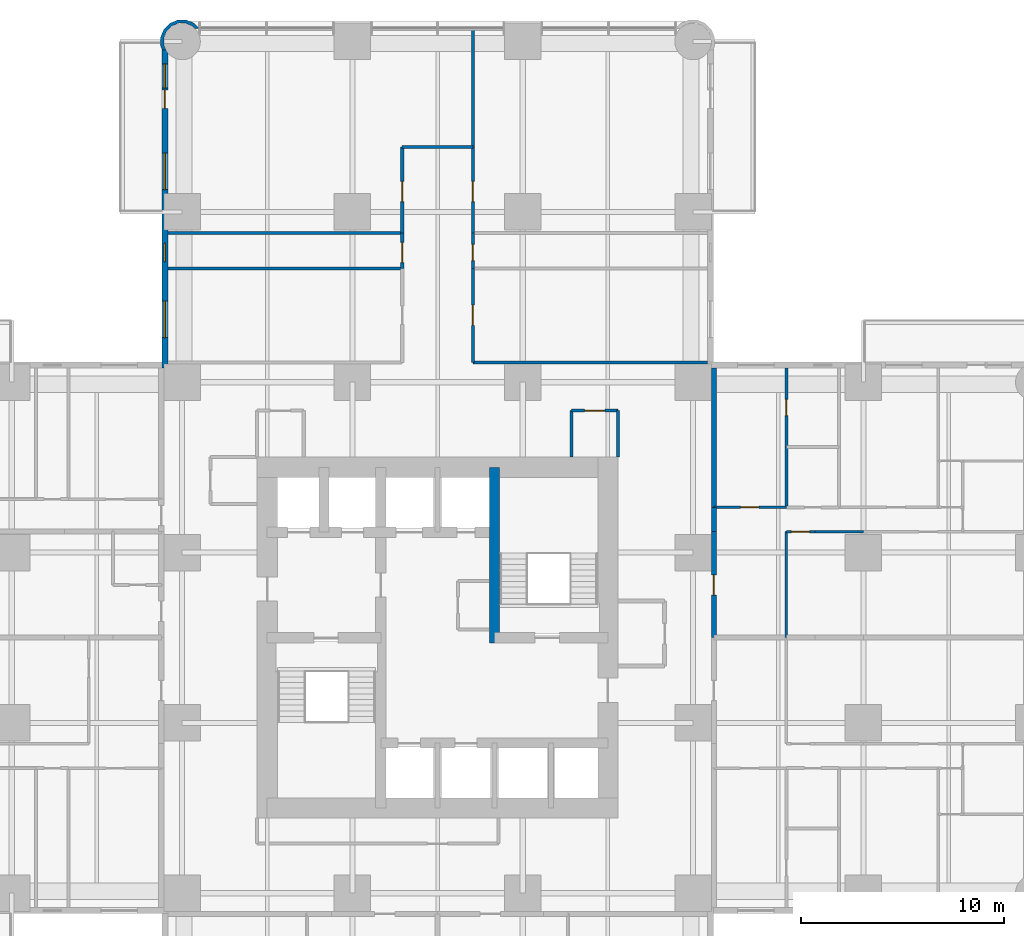
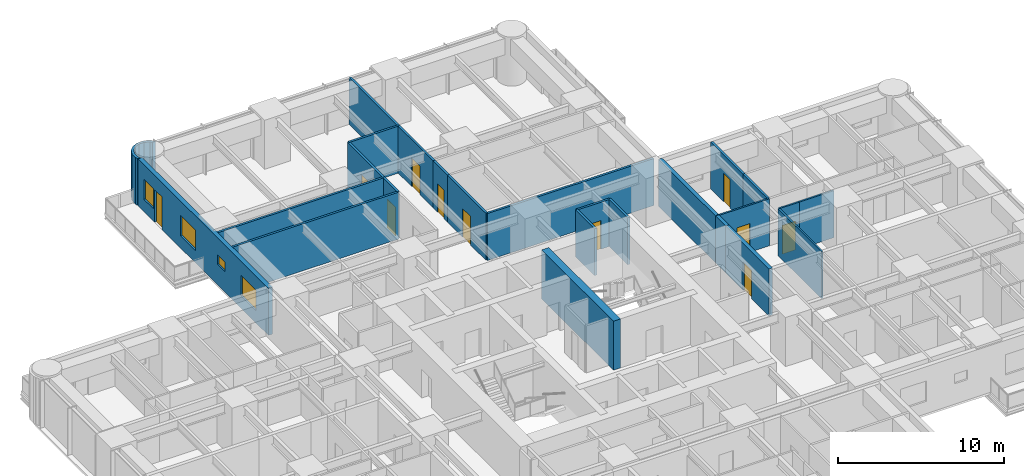
# One storey, part 13 of 17: 25 walls, 11 doors, 4 windows, 15 openings.
"""IFC4 building model written with IfcOpenShell, lengths in metres."""

import ifcopenshell
import ifcopenshell.guid

model = None  # the IFC model being written
_history = None  # IfcOwnerHistory: only IFC2X3 demands one
_inside = {}  # id of a spatial element -> (the spatial element, [elements in it])
_under = {}  # id of a project, library or spatial element -> (it, [spatial elements below it])
_declared = {}  # id of a project -> (the project, [libraries it declares])
_typed = {}  # id of a type object -> (the type object, [elements of that type])
_made_of = {}  # id of a material, layer set ... -> (it, [elements and type objects made of it])


def new_model(schema):
    """Start an empty IFC model of exactly this schema.

    Asked for "IFC4X3", IfcOpenShell would pick the latest addendum, in which some entities
    have other attributes; the version numbers below select the first issue.
    IFC2X3 requires an IfcOwnerHistory on every rooted entity: one is made here for all.
    """
    global model, _history
    if schema == "IFC4X3":
        model = ifcopenshell.file(schema_version=(4, 3, 0, 0))
    else:
        model = ifcopenshell.file(schema=schema)
    _inside.clear()
    _under.clear()
    _declared.clear()
    _typed.clear()
    _made_of.clear()
    _history = None
    if model.schema == "IFC2X3":
        org = make("IfcOrganization", Name="unknown")
        user = make(
            "IfcPersonAndOrganization",
            ThePerson=make("IfcPerson", FamilyName="unknown"),
            TheOrganization=org,
        )
        app = make(
            "IfcApplication",
            ApplicationDeveloper=org,
            Version="unknown",
            ApplicationFullName="unknown",
            ApplicationIdentifier="unknown",
        )
        _history = make(
            "IfcOwnerHistory",
            OwningUser=user,
            OwningApplication=app,
            ChangeAction="ADDED",
            CreationDate=0,
        )
    return model


def make(cls, **values):
    """One entity of the class cls with the attributes given. An attribute that is None is left unset."""
    return model.create_entity(
        cls, **{name: value for name, value in values.items() if value is not None}
    )


def rooted(cls, **values):
    """An entity with a GlobalId (a new one), such as an element, a storey or a relation."""
    return make(cls, GlobalId=ifcopenshell.guid.new(), OwnerHistory=_history, **values)


def si_unit(unit_type, name, prefix=None):
    """IfcSIUnit, for example si_unit("LENGTHUNIT", "METRE", prefix="MILLI")."""
    return make("IfcSIUnit", UnitType=unit_type, Prefix=prefix, Name=name)


def assignment(units):
    """IfcUnitAssignment: the units of a project."""
    return None if units is None else make("IfcUnitAssignment", Units=units)


def point(xyz):
    """IfcCartesianPoint."""
    return None if xyz is None else make("IfcCartesianPoint", Coordinates=xyz)


def direction(xyz):
    """IfcDirection."""
    return None if xyz is None else make("IfcDirection", DirectionRatios=xyz)


def frame(location, z_axis=None, x_axis=None):
    """IfcAxis2Placement3D, a coordinate frame: its origin and axes. An axis left out is left unset."""
    return make(
        "IfcAxis2Placement3D",
        Location=point(location),
        Axis=direction(z_axis),
        RefDirection=direction(x_axis),
    )


def frame_2d(location, x_axis=None):
    """IfcAxis2Placement2D, a coordinate frame in the plane: its origin and x axis."""
    return make(
        "IfcAxis2Placement2D", Location=point(location), RefDirection=direction(x_axis)
    )


def origin():
    """The frame at (0, 0, 0) with its axes left unset."""
    return frame((0.0, 0.0, 0.0))


def place(relative_to, where):
    """IfcLocalPlacement: puts the frame where relative to a parent placement (None: the world)."""
    return make(
        "IfcLocalPlacement", PlacementRelTo=relative_to, RelativePlacement=where
    )


def context(
    kind, dimensions, precision=None, world=None, true_north=None, identifier=None
):
    """IfcGeometricRepresentationContext, for example the 3D "Model" context."""
    return make(
        "IfcGeometricRepresentationContext",
        ContextIdentifier=identifier,
        ContextType=kind,
        CoordinateSpaceDimension=dimensions,
        Precision=precision,
        WorldCoordinateSystem=world,
        TrueNorth=true_north,
    )


def subcontext(parent, identifier, kind, view, scale=None):
    """IfcGeometricRepresentationSubContext, for example "Body" below "Model"."""
    return make(
        "IfcGeometricRepresentationSubContext",
        ContextIdentifier=identifier,
        ContextType=kind,
        ParentContext=parent,
        TargetScale=scale,
        TargetView=view,
    )


def project(units=None, contexts=None):
    """IfcProject with its units and contexts."""
    return rooted(
        "IfcProject",
        Name="project",
        RepresentationContexts=contexts,
        UnitsInContext=assignment(units),
    )


def spatial(cls, under=None, at=None, **own):
    """A site, building, storey or space (cls), placed at a placement, below another one or the project."""
    s = rooted(cls, ObjectPlacement=at, **own)
    if under is not None:
        _under.setdefault(under.id(), (under, []))[1].append(s)
    return s


def polyline(points):
    """IfcPolyline through the points."""
    return make("IfcPolyline", Points=[point(p) for p in points])


def profile(cls, at=None, kind="AREA", **sizes):
    """A parametric profile (cls). Its sizes go by their IFC names, for example OverallWidth=200.0."""
    return make(cls, ProfileType=kind, Position=at, **sizes)


def rectangle(**sizes):
    """IfcRectangleProfileDef."""
    return profile("IfcRectangleProfileDef", **sizes)


def outline(outer, holes=None, kind="AREA"):
    """IfcArbitraryClosedProfileDef: a profile drawn as a closed curve; with holes, ...WithVoids."""
    if holes is None:
        return make("IfcArbitraryClosedProfileDef", ProfileType=kind, OuterCurve=outer)
    return make(
        "IfcArbitraryProfileDefWithVoids",
        ProfileType=kind,
        OuterCurve=outer,
        InnerCurves=holes,
    )


def extrude(swept, where, along, depth):
    """IfcExtrudedAreaSolid: the profile swept, set in the frame where, extruded along a direction by depth."""
    return make(
        "IfcExtrudedAreaSolid",
        SweptArea=swept,
        Position=where,
        ExtrudedDirection=direction(along),
        Depth=depth,
    )


def shape(context_of_items, identifier, shape_type, items):
    """IfcShapeRepresentation: the items that make up one representation, for example the "Body"."""
    return make(
        "IfcShapeRepresentation",
        ContextOfItems=context_of_items,
        RepresentationIdentifier=identifier,
        RepresentationType=shape_type,
        Items=items,
    )


def material(Name=None, Category=None):
    """IfcMaterial."""
    return make("IfcMaterial", Name=Name, Category=Category)


def layer(
    of_material, thickness, ventilated=None, Name=None, Category=None, Priority=None
):
    """IfcMaterialLayer: one layer of a wall or slab, of a material (None: an air gap)."""
    return make(
        "IfcMaterialLayer",
        Material=of_material,
        LayerThickness=thickness,
        IsVentilated=ventilated,
        Name=Name,
        Category=Category,
        Priority=Priority,
    )


def layer_set(layers, Name=None):
    """IfcMaterialLayerSet."""
    return make("IfcMaterialLayerSet", MaterialLayers=layers, LayerSetName=Name)


def made_of(thing, what):
    """Note that an element or type object is made of a material, layer set ...; save() writes the relation."""
    if what is not None:
        _made_of.setdefault(what.id(), (what, []))[1].append(thing)
    return thing


def type_object(cls, material=None, **own):
    """A type object (cls), such as IfcWallType, which elements share."""
    return made_of(rooted(cls, **own), material)


def element(
    cls,
    number,
    at=None,
    inside=None,
    cuts=None,
    type_object=None,
    material=None,
    context=None,
    identifier="Body",
    shape_type=None,
    held_by="IfcProductDefinitionShape",
    body=None,
    shapes=None,
    **own,
):
    """One element of the class cls, such as IfcWall. Its Tag is "e" and its number.

    at: its placement. inside: the storey or other place that contains it. cuts: it is an
    opening in that element (IfcRelVoidsElement). A single representation is given by context,
    identifier, shape_type and body (its items); several are given by shapes. held_by: the class
    of the entity that holds the representations. save() writes the other relations.
    """
    e = rooted(cls, Tag="e%d" % number, ObjectPlacement=at, **own)
    if body is not None:
        shapes = [shape(context, identifier, shape_type, body)]
    if shapes is not None:
        e.Representation = make(held_by, Representations=shapes)
    if inside is not None:
        _inside.setdefault(inside.id(), (inside, []))[1].append(e)
    if cuts is not None:
        rooted(
            "IfcRelVoidsElement", RelatingBuildingElement=cuts, RelatedOpeningElement=e
        )
    if type_object is not None:
        _typed.setdefault(type_object.id(), (type_object, []))[1].append(e)
    return made_of(e, material)


def fill(opening, filler):
    """IfcRelFillsElement: the door or window that sits in an opening."""
    return rooted(
        "IfcRelFillsElement",
        RelatingOpeningElement=opening,
        RelatedBuildingElement=filler,
    )


def aggregate(whole, parts):
    """IfcRelAggregates: a whole, such as a stair, and the parts it consists of."""
    return rooted("IfcRelAggregates", RelatingObject=whole, RelatedObjects=parts)


def save(model, path):
    """Write the relations noted so far, then the file.

    IfcRelAggregates (storeys below a building ...), IfcRelContainedInSpatialStructure (elements
    in a storey), IfcRelDefinesByType, IfcRelAssociatesMaterial and IfcRelDeclares: one each for
    every whole, place, type object, material and project.
    """
    for whole, parts in _under.values():
        aggregate(whole, parts)
    for where, things in _inside.values():
        rooted(
            "IfcRelContainedInSpatialStructure",
            RelatedElements=things,
            RelatingStructure=where,
        )
    for kind, things in _typed.values():
        rooted("IfcRelDefinesByType", RelatedObjects=things, RelatingType=kind)
    for what, things in _made_of.values():
        rooted("IfcRelAssociatesMaterial", RelatedObjects=things, RelatingMaterial=what)
    for by, libraries in _declared.values():
        rooted("IfcRelDeclares", RelatingContext=by, RelatedDefinitions=libraries)
    model.write(path)


model = new_model("IFC4")

# Units and contexts
model_context = context("Model", 3, precision=1e-05, world=origin(), true_north=direction((0.0, 1.0)))
body_context = subcontext(model_context, "Body", "Model", "MODEL_VIEW")
ifc_project = project(units=[si_unit("LENGTHUNIT", "METRE"), si_unit("AREAUNIT", "SQUARE_METRE"), si_unit("VOLUMEUNIT", "CUBIC_METRE"), si_unit("PLANEANGLEUNIT", "RADIAN"), si_unit("MASSUNIT", "GRAM", prefix="KILO")], contexts=[model_context])

# Site, building, storey
site_placement = place(None, origin())
site = spatial("IfcSite", under=ifc_project, at=site_placement, CompositionType="ELEMENT")
building_placement = place(site_placement, origin())
building = spatial("IfcBuilding", under=site, at=building_placement, Name="Torre Alcanfor", CompositionType="ELEMENT")
storey_placement = place(building_placement, frame((0.0, 0.0, 38.10009765625)))
storey = spatial("IfcBuildingStorey", under=building, at=storey_placement, Name="L08", CompositionType="ELEMENT", Elevation=38.10009765625)

# Wall, opening, door
ifc_material_1 = material(Name="Concrete block masonry, hollow blocks NMX-C-404 9 MPa", Category="masonry")
ifc_layer_1 = layer(ifc_material_1, 0.25)
ifc_layer_set_1 = layer_set([ifc_layer_1], Name="Apartment entrance wall 250 EI 60")
wall_type_1 = type_object("IfcWallType", Name="Apartment entrance wall 250 EI 60", PredefinedType="PARTITIONING", material=ifc_layer_set_1)
wall_1_placement = place(storey_placement, frame((43.02490234375, 34.62890625, 0.0), z_axis=(0.0, 0.0, 1.0), x_axis=(0.0, -1.0, 0.0)))
wall_1 = element("IfcWall", 1, at=wall_1_placement, inside=storey, type_object=wall_type_1, Name="Partition L08-CORR / L08-E1-ZAG", PredefinedType="PARTITIONING", context=body_context, shape_type="SweptSolid", body=[
    extrude(rectangle(XDim=5.22900390625, YDim=0.25, at=frame_2d((2.614501953125, 0.0))), origin(), (0.0, 0.0, 1.0), 3.449951171875),
])
opening_1_placement = place(wall_1_placement, frame((2.12890625, 0.0, 0.0)))
opening_1 = element("IfcOpeningElement", 2, at=opening_1_placement, cuts=wall_1, Name="Opening D-A1", PredefinedType="OPENING", context=body_context, shape_type="SweptSolid", body=[
    extrude(rectangle(XDim=1.0, YDim=2.10009765625, at=frame_2d((0.5, 1.050048828125))), frame((0.0, 0.135009765625, 0.0), z_axis=(0.0, -1.0, 0.0), x_axis=(1.0, 0.0, 0.0)), (0.0, 0.0, 1.0), 0.27001953125),
])
ifc_material_2 = material(Name="Galvanised steel sheet ASTM A653", Category="steel")
door_type_1 = type_object("IfcDoorType", Name="Apartment entrance door FD60 1000x2100", OperationType="SINGLE_SWING_LEFT", PredefinedType="DOOR", material=ifc_material_2)
door_1_placement = place(opening_1_placement, origin())
door_1 = element("IfcDoor", 3, at=door_1_placement, inside=storey, type_object=door_type_1, Name="Apartment entrance L08-E1", OperationType="SINGLE_SWING_RIGHT", OverallHeight=2.10009765625, OverallWidth=1.0, PredefinedType="DOOR", context=body_context, shape_type="SweptSolid", body=[
    extrude(rectangle(XDim=1.0, YDim=2.10009765625, at=frame_2d((0.5, 1.050048828125))), frame((0.0, 0.02490234375, 0.0), z_axis=(0.0, -1.0, 0.0), x_axis=(1.0, 0.0, 0.0)), (0.0, 0.0, 1.0), 0.050048828125),
])
fill(opening_1, door_1)

# Walls
wall_2_placement = place(storey_placement, frame((43.02490234375, 35.8291015625, 0.0), z_axis=(0.0, 0.0, 1.0), x_axis=(0.0, -1.0, 0.0)))
element("IfcWall", 4, at=wall_2_placement, inside=storey, type_object=wall_type_1, Name="Partition L08-CORR / L08-E1-HALL", PredefinedType="PARTITIONING", context=body_context, shape_type="SweptSolid", body=[
    extrude(rectangle(XDim=1.2001953125, YDim=0.25, at=frame_2d((0.60009765625, 0.0))), origin(), (0.0, 0.0, 1.0), 3.449951171875),
])
wall_3_placement = place(storey_placement, frame((43.02490234375, 42.699951171875, 0.0), z_axis=(0.0, 0.0, 1.0), x_axis=(0.0, -1.0, 0.0)))
element("IfcWall", 5, at=wall_3_placement, inside=storey, type_object=wall_type_1, Name="Partition L08-CORR / L08-E1-SERV", PredefinedType="PARTITIONING", context=body_context, shape_type="SweptSolid", body=[
    extrude(rectangle(XDim=6.870849609375, YDim=0.25, at=frame_2d((3.435546875, 0.0))), origin(), (0.0, 0.0, 1.0), 3.449951171875),
])
ifc_material_3 = material(Name="Gypsum board on steel studs", Category="steel")
ifc_layer_2 = layer(ifc_material_3, 0.1201171875)
ifc_layer_set_2 = layer_set([ifc_layer_2], Name="Apartment partition 120")
wall_type_2 = type_object("IfcWallType", Name="Apartment partition 120", PredefinedType="PARTITIONING", material=ifc_layer_set_2)
wall_4_placement = place(storey_placement, frame((46.60009765625, 29.39990234375, 0.0), z_axis=(0.0, 0.0, 1.0), x_axis=(0.0, 1.0, 0.0)))
element("IfcWall", 6, at=wall_4_placement, inside=storey, type_object=wall_type_2, Name="Partition L08-E1-ZAG / L08-E1-LAUND", PredefinedType="PARTITIONING", context=body_context, shape_type="SweptSolid", body=[
    extrude(rectangle(XDim=5.22900390625, YDim=0.1201171875, at=frame_2d((2.614501953125, 0.0))), origin(), (0.0, 0.0, 1.0), 3.449951171875),
])

# Wall, opening, door
wall_5_placement = place(storey_placement, frame((48.0, 34.62890625, 0.0), z_axis=(0.0, 0.0, 1.0), x_axis=(-1.0, 0.0, 0.0)))
wall_5 = element("IfcWall", 7, at=wall_5_placement, inside=storey, type_object=wall_type_2, Name="Partition L08-E1-LAUND / L08-E1-HALL", PredefinedType="PARTITIONING", context=body_context, shape_type="SweptSolid", body=[
    extrude(rectangle(XDim=1.39990234375, YDim=0.1201171875, at=frame_2d((0.699951171875, 0.0))), origin(), (0.0, 0.0, 1.0), 3.449951171875),
])
opening_2_placement = place(wall_5_placement, frame((0.25, 0.0, 0.0)))
opening_2 = element("IfcOpeningElement", 8, at=opening_2_placement, cuts=wall_5, Name="Opening D-R1", PredefinedType="OPENING", context=body_context, shape_type="SweptSolid", body=[
    extrude(rectangle(XDim=0.89990234375, YDim=2.10009765625, at=frame_2d((0.449951171875, 1.050048828125))), frame((0.0, 0.070068359375, 0.0), z_axis=(0.0, -1.0, 0.0), x_axis=(1.0, 0.0, 0.0)), (0.0, 0.0, 1.0), 0.14013671875),
])
ifc_material_4 = material(Name="Timber", Category="wood")
door_type_2 = type_object("IfcDoorType", Name="Internal door 900x2100", OperationType="SINGLE_SWING_LEFT", PredefinedType="DOOR", material=ifc_material_4)
door_2_placement = place(opening_2_placement, origin())
door_2 = element("IfcDoor", 9, at=door_2_placement, inside=storey, type_object=door_type_2, Name="Door L08-E1 laund", OperationType="SINGLE_SWING_LEFT", OverallHeight=2.10009765625, OverallWidth=0.89990234375, PredefinedType="DOOR", context=body_context, shape_type="SweptSolid", body=[
    extrude(rectangle(XDim=0.89990234375, YDim=2.10009765625, at=frame_2d((0.449951171875, 1.050048828125))), frame((0.0, 0.02490234375, 0.0), z_axis=(0.0, -1.0, 0.0), x_axis=(1.0, 0.0, 0.0)), (0.0, 0.0, 1.0), 0.050048828125),
])
fill(opening_2, door_2)

# Wall
wall_6_placement = place(storey_placement, frame((50.39990234375, 34.62890625, 0.0), z_axis=(0.0, 0.0, 1.0), x_axis=(-1.0, 0.0, 0.0)))
element("IfcWall", 10, at=wall_6_placement, inside=storey, type_object=wall_type_2, Name="Partition L08-E1-KITCHEN / L08-E1-HALL", PredefinedType="PARTITIONING", context=body_context, shape_type="SweptSolid", body=[
    extrude(rectangle(XDim=2.39990234375, YDim=0.1201171875, at=frame_2d((1.199951171875, 0.0))), origin(), (0.0, 0.0, 1.0), 3.449951171875),
])

# Wall, opening, door
wall_7_placement = place(storey_placement, frame((46.60009765625, 35.8291015625, 0.0), z_axis=(0.0, 0.0, 1.0), x_axis=(-1.0, 0.0, 0.0)))
wall_7 = element("IfcWall", 11, at=wall_7_placement, inside=storey, type_object=wall_type_2, Name="Partition L08-E1-HALL / L08-E1-SERV", PredefinedType="PARTITIONING", context=body_context, shape_type="SweptSolid", body=[
    extrude(rectangle(XDim=3.5751953125, YDim=0.1201171875, at=frame_2d((1.78759765625, 0.0))), origin(), (0.0, 0.0, 1.0), 3.449951171875),
])
opening_3_placement = place(wall_7_placement, frame((1.35009765625, 0.0, 0.0)))
opening_3 = element("IfcOpeningElement", 12, at=opening_3_placement, cuts=wall_7, Name="Opening D-R1", PredefinedType="OPENING", context=body_context, shape_type="SweptSolid", body=[
    extrude(rectangle(XDim=0.89990234375, YDim=2.10009765625, at=frame_2d((0.449951171875, 1.050048828125))), frame((0.0, 0.070068359375, 0.0), z_axis=(0.0, -1.0, 0.0), x_axis=(1.0, 0.0, 0.0)), (0.0, 0.0, 1.0), 0.14013671875),
])
door_3_placement = place(opening_3_placement, frame((0.89990234375, 0.0, 0.0), z_axis=(0.0, 0.0, 1.0), x_axis=(-1.0, 0.0, 0.0)))
door_3 = element("IfcDoor", 13, at=door_3_placement, inside=storey, type_object=door_type_2, Name="Door L08-E1 serv", OperationType="SINGLE_SWING_LEFT", OverallHeight=2.10009765625, OverallWidth=0.89990234375, PredefinedType="DOOR", context=body_context, shape_type="SweptSolid", body=[
    extrude(rectangle(XDim=0.89990234375, YDim=2.10009765625, at=frame_2d((0.449951171875, 1.050048828125))), frame((0.0, 0.025146484375, 0.0), z_axis=(0.0, -1.0, 0.0), x_axis=(1.0, 0.0, 0.0)), (0.0, 0.0, 1.0), 0.050048828125),
])
fill(opening_3, door_3)

# Wall
ifc_material_5 = material(Name="Concrete f'c 70 MPa", Category="concrete")
ifc_layer_3 = layer(ifc_material_5, 0.5)
ifc_layer_set_3 = layer_set([ifc_layer_3], Name="Core inner wall 500 f'c70")
wall_type_3 = type_object("IfcWallType", Name="Core inner wall 500 f'c70", PredefinedType="SHEAR", material=ifc_layer_set_3)
wall_8_placement = place(storey_placement, frame((32.199951171875, 29.14990234375, 0.0), z_axis=(0.0, 0.0, 1.0), x_axis=(0.0, 1.0, 0.0)))
element("IfcWall", 14, at=wall_8_placement, inside=storey, type_object=wall_type_3, Name="Core wall X322N L08", PredefinedType="SHEAR", context=body_context, shape_type="SweptSolid", body=[
    extrude(rectangle(XDim=8.650146484375, YDim=0.5, at=frame_2d((4.3251953125, 0.0))), origin(), (0.0, 0.0, 1.0), 3.599853515625),
])

# Wall, openings, door, windows
ifc_material_6 = material(Name="Limestone cladding", Category="masonry")
ifc_layer_4 = layer(ifc_material_6, 0.0400390625, Name="Facing")
ifc_material_7 = material(Name="Ventilated air cavity")
ifc_layer_5 = layer(ifc_material_7, 0.02001953125, ventilated=True, Name="Ventilated joint")
ifc_material_8 = material(Name="Mineral wool insulation", Category="insulation")
ifc_layer_6 = layer(ifc_material_8, 0.10009765625, Name="Insulation")
ifc_material_9 = material(Name="Concrete f'c 35 MPa", Category="concrete")
ifc_layer_7 = layer(ifc_material_9, 0.139892578125, Name="Backing")
ifc_layer_set_4 = layer_set([ifc_layer_4, ifc_layer_5, ifc_layer_6, ifc_layer_7], Name="External wall stone-clad 300")
wall_type_4 = type_object("IfcWallType", Name="External wall stone-clad 300", PredefinedType="SOLIDWALL", material=ifc_layer_set_4)
wall_9_placement = place(storey_placement, frame((15.949951171875, 58.39990234375, 0.0), z_axis=(0.0, 0.0, 1.0), x_axis=(0.0, -1.0, 0.0)))
wall_9 = element("IfcWall", 15, at=wall_9_placement, inside=storey, type_object=wall_type_4, Name="External wall L08 12", PredefinedType="SOLIDWALL", context=body_context, shape_type="SweptSolid", body=[
    extrude(rectangle(XDim=15.699951171875, YDim=0.300048828125, at=frame_2d((7.85009765625, 0.0))), origin(), (0.0, 0.0, 1.0), 3.449951171875),
])
opening_4_placement = place(wall_9_placement, frame((12.39990234375, 0.0, 0.89990234375)))
opening_4 = element("IfcOpeningElement", 16, at=opening_4_placement, cuts=wall_9, Name="Opening W2", PredefinedType="OPENING", context=body_context, shape_type="SweptSolid", body=[
    extrude(rectangle(XDim=1.800048828125, YDim=1.5, at=frame_2d((0.89990234375, 0.75))), frame((0.0, 0.159912109375, 0.0), z_axis=(0.0, -1.0, 0.0), x_axis=(1.0, 0.0, 0.0)), (0.0, 0.0, 1.0), 0.320068359375),
])
opening_5_placement = place(wall_9_placement, frame((9.550048828125, 0.0, 1.5)))
opening_5 = element("IfcOpeningElement", 17, at=opening_5_placement, cuts=wall_9, Name="Opening W3", PredefinedType="OPENING", context=body_context, shape_type="SweptSolid", body=[
    extrude(rectangle(XDim=0.89990234375, YDim=0.699951171875, at=frame_2d((0.449951171875, 0.35009765625))), frame((0.0, 0.159912109375, 0.0), z_axis=(0.0, -1.0, 0.0), x_axis=(1.0, 0.0, 0.0)), (0.0, 0.0, 1.0), 0.320068359375),
])
opening_6_placement = place(wall_9_placement, frame((5.10009765625, 0.0, 0.89990234375)))
opening_6 = element("IfcOpeningElement", 18, at=opening_6_placement, cuts=wall_9, Name="Opening W2", PredefinedType="OPENING", context=body_context, shape_type="SweptSolid", body=[
    extrude(rectangle(XDim=1.800048828125, YDim=1.5, at=frame_2d((0.89990234375, 0.75))), frame((0.0, 0.159912109375, 0.0), z_axis=(0.0, -1.0, 0.0), x_axis=(1.0, 0.0, 0.0)), (0.0, 0.0, 1.0), 0.320068359375),
])
opening_7_placement = place(wall_9_placement, frame((2.0, 0.0, 0.0)))
opening_7 = element("IfcOpeningElement", 19, at=opening_7_placement, cuts=wall_9, Name="Opening D-B1", PredefinedType="OPENING", context=body_context, shape_type="SweptSolid", body=[
    extrude(rectangle(XDim=0.89990234375, YDim=2.39990234375, at=frame_2d((0.449951171875, 1.199951171875))), frame((0.0, 0.159912109375, 0.0), z_axis=(0.0, -1.0, 0.0), x_axis=(1.0, 0.0, 0.0)), (0.0, 0.0, 1.0), 0.320068359375),
])
opening_8_placement = place(wall_9_placement, frame((0.699951171875, 0.0, 0.89990234375)))
opening_8 = element("IfcOpeningElement", 20, at=opening_8_placement, cuts=wall_9, Name="Opening W4", PredefinedType="OPENING", context=body_context, shape_type="SweptSolid", body=[
    extrude(rectangle(XDim=1.199951171875, YDim=1.5, at=frame_2d((0.60009765625, 0.75))), frame((0.0, 0.159912109375, 0.0), z_axis=(0.0, -1.0, 0.0), x_axis=(1.0, 0.0, 0.0)), (0.0, 0.0, 1.0), 0.320068359375),
])
ifc_material_10 = material(Name="Aluminium and glass", Category="aluminium")
door_type_3 = type_object("IfcDoorType", Name="Balcony door glazed 900x2400", OperationType="SINGLE_SWING_LEFT", PredefinedType="DOOR", material=ifc_material_10)
door_4_placement = place(opening_7_placement, origin())
door_4 = element("IfcDoor", 21, at=door_4_placement, inside=storey, type_object=door_type_3, Name="Balcony door L08-N1", OperationType="SINGLE_SWING_LEFT", OverallHeight=2.39990234375, OverallWidth=0.89990234375, PredefinedType="DOOR", context=body_context, shape_type="SweptSolid", body=[
    extrude(rectangle(XDim=0.89990234375, YDim=2.39990234375, at=frame_2d((0.449951171875, 1.199951171875))), frame((0.0, 0.02490234375, 0.0), z_axis=(0.0, -1.0, 0.0), x_axis=(1.0, 0.0, 0.0)), (0.0, 0.0, 1.0), 0.050048828125),
])
fill(opening_7, door_4)
ifc_material_11 = material(Name="Aluminium frame with clear double glazing", Category="aluminium")
window_type_1 = type_object("IfcWindowType", Name="Window bathroom 900x700", PartitioningType="SINGLE_PANEL", PredefinedType="WINDOW", material=ifc_material_11)
window_1_placement = place(opening_5_placement, origin())
window_1 = element("IfcWindow", 22, at=window_1_placement, inside=storey, type_object=window_type_1, Name="Window W3 L08-N1", OverallHeight=0.699951171875, OverallWidth=0.89990234375, PartitioningType="SINGLE_PANEL", PredefinedType="WINDOW", context=body_context, shape_type="SweptSolid", body=[
    extrude(rectangle(XDim=0.89990234375, YDim=0.699951171875, at=frame_2d((0.449951171875, 0.35009765625))), frame((0.0, 0.030029296875, 0.0), z_axis=(0.0, -1.0, 0.0), x_axis=(1.0, 0.0, 0.0)), (0.0, 0.0, 1.0), 0.06005859375),
])
fill(opening_5, window_1)
ifc_material_12 = material(Name="Aluminium frame with clear double glazing", Category="aluminium")
window_type_2 = type_object("IfcWindowType", Name="Window bedroom 1200x1500", PartitioningType="SINGLE_PANEL", PredefinedType="WINDOW", material=ifc_material_12)
window_2_placement = place(opening_8_placement, origin())
window_2 = element("IfcWindow", 23, at=window_2_placement, inside=storey, type_object=window_type_2, Name="Window W4 L08-N1", OverallHeight=1.5, OverallWidth=1.199951171875, PartitioningType="SINGLE_PANEL", PredefinedType="WINDOW", context=body_context, shape_type="SweptSolid", body=[
    extrude(rectangle(XDim=1.199951171875, YDim=1.5, at=frame_2d((0.60009765625, 0.75))), frame((0.0, 0.030029296875, 0.0), z_axis=(0.0, -1.0, 0.0), x_axis=(1.0, 0.0, 0.0)), (0.0, 0.0, 1.0), 0.06005859375),
])
fill(opening_8, window_2)
ifc_material_13 = material(Name="Aluminium frame with clear double glazing", Category="aluminium")
window_type_3 = type_object("IfcWindowType", Name="Window bedroom 1800x1500", PartitioningType="SINGLE_PANEL", PredefinedType="WINDOW", material=ifc_material_13)
window_3_placement = place(opening_4_placement, origin())
window_3 = element("IfcWindow", 24, at=window_3_placement, inside=storey, type_object=window_type_3, Name="Window W2 L08-N1", OverallHeight=1.5, OverallWidth=1.800048828125, PartitioningType="SINGLE_PANEL", PredefinedType="WINDOW", context=body_context, shape_type="SweptSolid", body=[
    extrude(rectangle(XDim=1.800048828125, YDim=1.5, at=frame_2d((0.89990234375, 0.75))), frame((0.0, 0.030029296875, 0.0), z_axis=(0.0, -1.0, 0.0), x_axis=(1.0, 0.0, 0.0)), (0.0, 0.0, 1.0), 0.06005859375),
])
fill(opening_4, window_3)
window_4_placement = place(opening_6_placement, origin())
window_4 = element("IfcWindow", 25, at=window_4_placement, inside=storey, type_object=window_type_3, Name="Window W2 L08-N1", OverallHeight=1.5, OverallWidth=1.800048828125, PartitioningType="SINGLE_PANEL", PredefinedType="WINDOW", context=body_context, shape_type="SweptSolid", body=[
    extrude(rectangle(XDim=1.800048828125, YDim=1.5, at=frame_2d((0.89990234375, 0.75))), frame((0.0, 0.030029296875, 0.0), z_axis=(0.0, -1.0, 0.0), x_axis=(1.0, 0.0, 0.0)), (0.0, 0.0, 1.0), 0.06005859375),
])
fill(opening_6, window_4)

# Wall
ifc_material_14 = material(Name="Concrete block masonry, hollow blocks NMX-C-404 9 MPa", Category="masonry")
ifc_layer_8 = layer(ifc_material_14, 0.14990234375)
ifc_layer_set_5 = layer_set([ifc_layer_8], Name="Residents' room partition 150")
wall_type_5 = type_object("IfcWallType", Name="Residents' room partition 150", PredefinedType="PARTITIONING", material=ifc_layer_set_5)
wall_10_placement = place(storey_placement, frame((38.300048828125, 38.300048828125, 0.0), z_axis=(0.0, 0.0, 1.0), x_axis=(0.0, 1.0, 0.0)))
element("IfcWall", 26, at=wall_10_placement, inside=storey, type_object=wall_type_5, Name="Partition L08-CORR / L08-G02", PredefinedType="PARTITIONING", context=body_context, shape_type="SweptSolid", body=[
    extrude(rectangle(XDim=2.300048828125, YDim=0.14990234375, at=frame_2d((1.14990234375, 0.0))), origin(), (0.0, 0.0, 1.0), 3.449951171875),
])

# Wall, opening, door
wall_11_placement = place(storey_placement, frame((38.300048828125, 40.60009765625, 0.0), z_axis=(0.0, 0.0, 1.0), x_axis=(-1.0, 0.0, 0.0)))
wall_11 = element("IfcWall", 27, at=wall_11_placement, inside=storey, type_object=wall_type_5, Name="Partition L08-CORR / L08-G02", PredefinedType="PARTITIONING", context=body_context, shape_type="SweptSolid", body=[
    extrude(rectangle(XDim=2.300048828125, YDim=0.14990234375, at=frame_2d((1.14990234375, 0.0))), origin(), (0.0, 0.0, 1.0), 3.449951171875),
])
opening_9_placement = place(wall_11_placement, frame((0.64990234375, 0.0, 0.0)))
opening_9 = element("IfcOpeningElement", 28, at=opening_9_placement, cuts=wall_11, Name="Opening D-M1", PredefinedType="OPENING", context=body_context, shape_type="SweptSolid", body=[
    extrude(rectangle(XDim=1.0, YDim=2.10009765625, at=frame_2d((0.5, 1.050048828125))), frame((0.0, 0.0849609375, 0.0), z_axis=(0.0, -1.0, 0.0), x_axis=(1.0, 0.0, 0.0)), (0.0, 0.0, 1.0), 0.169921875),
])
ifc_material_15 = material(Name="Timber", Category="wood")
door_type_4 = type_object("IfcDoorType", Name="Residents' room door 1000x2100", OperationType="SINGLE_SWING_LEFT", PredefinedType="DOOR", material=ifc_material_15)
door_5_placement = place(opening_9_placement, origin())
door_5 = element("IfcDoor", 29, at=door_5_placement, inside=storey, type_object=door_type_4, Name="Door L08-G02 residents' storage lockers", OperationType="SINGLE_SWING_LEFT", OverallHeight=2.10009765625, OverallWidth=1.0, PredefinedType="DOOR", context=body_context, shape_type="SweptSolid", body=[
    extrude(rectangle(XDim=1.0, YDim=2.10009765625, at=frame_2d((0.5, 1.050048828125))), frame((0.0, 0.02490234375, 0.0), z_axis=(0.0, -1.0, 0.0), x_axis=(1.0, 0.0, 0.0)), (0.0, 0.0, 1.0), 0.050048828125),
])
fill(opening_9, door_5)

# Walls
wall_12_placement = place(storey_placement, frame((36.0, 40.60009765625, 0.0), z_axis=(0.0, 0.0, 1.0), x_axis=(0.0, -1.0, 0.0)))
element("IfcWall", 30, at=wall_12_placement, inside=storey, type_object=wall_type_5, Name="Partition L08-CORR / L08-G02", PredefinedType="PARTITIONING", context=body_context, shape_type="SweptSolid", body=[
    extrude(rectangle(XDim=2.300048828125, YDim=0.14990234375, at=frame_2d((1.14990234375, 0.0))), origin(), (0.0, 0.0, 1.0), 3.449951171875),
])
wall_13_placement = place(storey_placement, frame((31.14306640625, 42.97509765625, 0.0), z_axis=(0.0, 0.0, 1.0), x_axis=(1.0, 0.0, 0.0)))
element("IfcWall", 31, at=wall_13_placement, inside=storey, type_object=wall_type_5, Name="Partition L08-CORR / L08-N-STORE", PredefinedType="PARTITIONING", context=body_context, shape_type="SweptSolid", body=[
    extrude(rectangle(XDim=11.556884765625, YDim=0.14990234375, at=frame_2d((5.7783203125, 0.0))), origin(), (0.0, 0.0, 1.0), 3.449951171875),
])

# Wall, opening, door
wall_14_placement = place(storey_placement, frame((27.656982421875, 49.35009765625, 0.0), z_axis=(0.0, 0.0, 1.0), x_axis=(0.0, -1.0, 0.0)))
wall_14 = element("IfcWall", 32, at=wall_14_placement, inside=storey, type_object=wall_type_5, Name="Partition L08-N-ACORR / L08-N-AWC", PredefinedType="PARTITIONING", context=body_context, shape_type="SweptSolid", body=[
    extrude(rectangle(XDim=1.75, YDim=0.14990234375, at=frame_2d((0.875, 0.0))), origin(), (0.0, 0.0, 1.0), 3.449951171875),
])
opening_10_placement = place(wall_14_placement, frame((0.449951171875, 0.0, 0.0)))
opening_10 = element("IfcOpeningElement", 33, at=opening_10_placement, cuts=wall_14, Name="Opening D-W2", PredefinedType="OPENING", context=body_context, shape_type="SweptSolid", body=[
    extrude(rectangle(XDim=1.0, YDim=2.10009765625, at=frame_2d((0.5, 1.050048828125))), frame((0.0, 0.0849609375, 0.0), z_axis=(0.0, -1.0, 0.0), x_axis=(1.0, 0.0, 0.0)), (0.0, 0.0, 1.0), 0.169921875),
])
ifc_material_16 = material(Name="Timber", Category="wood")
door_type_5 = type_object("IfcDoorType", Name="Accessible WC door 1000x2100", OperationType="SINGLE_SWING_LEFT", PredefinedType="DOOR", material=ifc_material_16)
door_6_placement = place(opening_10_placement, origin())
door_6 = element("IfcDoor", 34, at=door_6_placement, inside=storey, type_object=door_type_5, Name="Door L08 N awc", OperationType="SINGLE_SWING_LEFT", OverallHeight=2.10009765625, OverallWidth=1.0, PredefinedType="DOOR", context=body_context, shape_type="SweptSolid", body=[
    extrude(rectangle(XDim=1.0, YDim=2.10009765625, at=frame_2d((0.5, 1.050048828125))), frame((0.0, 0.02490234375, 0.0), z_axis=(0.0, -1.0, 0.0), x_axis=(1.0, 0.0, 0.0)), (0.0, 0.0, 1.0), 0.050048828125),
])
fill(opening_10, door_6)

# Wall
wall_15_placement = place(storey_placement, frame((31.14306640625, 53.60009765625, 0.0), z_axis=(0.0, 0.0, 1.0), x_axis=(-1.0, 0.0, 0.0)))
element("IfcWall", 35, at=wall_15_placement, inside=storey, type_object=wall_type_5, Name="Partition L08-N-ACORR / L08-N-PLAY", PredefinedType="PARTITIONING", context=body_context, shape_type="SweptSolid", body=[
    extrude(rectangle(XDim=3.486083984375, YDim=0.14990234375, at=frame_2d((1.7431640625, 0.0))), origin(), (0.0, 0.0, 1.0), 3.449951171875),
])

# Wall, opening, door
wall_16_placement = place(storey_placement, frame((27.656982421875, 53.60009765625, 0.0), z_axis=(0.0, 0.0, 1.0), x_axis=(0.0, -1.0, 0.0)))
wall_16 = element("IfcWall", 36, at=wall_16_placement, inside=storey, type_object=wall_type_5, Name="Partition L08-N-ACORR / L08-N-PLAY", PredefinedType="PARTITIONING", context=body_context, shape_type="SweptSolid", body=[
    extrude(rectangle(XDim=4.25, YDim=0.14990234375, at=frame_2d((2.125, 0.0))), origin(), (0.0, 0.0, 1.0), 3.449951171875),
])
opening_11_placement = place(wall_16_placement, frame((1.699951171875, 0.0, 0.0)))
opening_11 = element("IfcOpeningElement", 37, at=opening_11_placement, cuts=wall_16, Name="Opening D-M1", PredefinedType="OPENING", context=body_context, shape_type="SweptSolid", body=[
    extrude(rectangle(XDim=1.0, YDim=2.10009765625, at=frame_2d((0.5, 1.050048828125))), frame((0.0, 0.0849609375, 0.0), z_axis=(0.0, -1.0, 0.0), x_axis=(1.0, 0.0, 0.0)), (0.0, 0.0, 1.0), 0.169921875),
])
door_7_placement = place(opening_11_placement, frame((1.0, 0.0, 0.0), z_axis=(0.0, 0.0, 1.0), x_axis=(-1.0, 0.0, 0.0)))
door_7 = element("IfcDoor", 38, at=door_7_placement, inside=storey, type_object=door_type_4, Name="Door L08 N play", OperationType="SINGLE_SWING_LEFT", OverallHeight=2.10009765625, OverallWidth=1.0, PredefinedType="DOOR", context=body_context, shape_type="SweptSolid", body=[
    extrude(rectangle(XDim=1.0, YDim=2.10009765625, at=frame_2d((0.5, 1.050048828125))), frame((0.0, 0.025146484375, 0.0), z_axis=(0.0, -1.0, 0.0), x_axis=(1.0, 0.0, 0.0)), (0.0, 0.0, 1.0), 0.050048828125),
])
fill(opening_11, door_7)

wall_17_placement = place(storey_placement, frame((31.14306640625, 42.97509765625, 0.0), z_axis=(0.0, 0.0, 1.0), x_axis=(0.0, 1.0, 0.0)))
wall_17 = element("IfcWall", 39, at=wall_17_placement, inside=storey, type_object=wall_type_5, Name="Partition L08-N-ACORR / L08-N-STORE", PredefinedType="PARTITIONING", context=body_context, shape_type="SweptSolid", body=[
    extrude(rectangle(XDim=4.625, YDim=0.14990234375, at=frame_2d((2.3125, 0.0))), origin(), (0.0, 0.0, 1.0), 3.449951171875),
])
opening_12_placement = place(wall_17_placement, frame((1.824951171875, 0.0, 0.0)))
opening_12 = element("IfcOpeningElement", 40, at=opening_12_placement, cuts=wall_17, Name="Opening D-M1", PredefinedType="OPENING", context=body_context, shape_type="SweptSolid", body=[
    extrude(rectangle(XDim=1.0, YDim=2.10009765625, at=frame_2d((0.5, 1.050048828125))), frame((0.0, 0.0849609375, 0.0), z_axis=(0.0, -1.0, 0.0), x_axis=(1.0, 0.0, 0.0)), (0.0, 0.0, 1.0), 0.169921875),
])
door_8_placement = place(opening_12_placement, frame((1.0, 0.0, 0.0), z_axis=(0.0, 0.0, 1.0), x_axis=(-1.0, 0.0, 0.0)))
door_8 = element("IfcDoor", 41, at=door_8_placement, inside=storey, type_object=door_type_4, Name="Door L08 N store", OperationType="SINGLE_SWING_LEFT", OverallHeight=2.10009765625, OverallWidth=1.0, PredefinedType="DOOR", context=body_context, shape_type="SweptSolid", body=[
    extrude(rectangle(XDim=1.0, YDim=2.10009765625, at=frame_2d((0.5, 1.050048828125))), frame((0.0, 0.025146484375, 0.0), z_axis=(0.0, -1.0, 0.0), x_axis=(1.0, 0.0, 0.0)), (0.0, 0.0, 1.0), 0.050048828125),
])
fill(opening_12, door_8)

wall_18_placement = place(storey_placement, frame((31.14306640625, 47.60009765625, 0.0), z_axis=(0.0, 0.0, 1.0), x_axis=(0.0, 1.0, 0.0)))
wall_18 = element("IfcWall", 42, at=wall_18_placement, inside=storey, type_object=wall_type_5, Name="Partition L08-N-ACORR / L08-N-CLEAN", PredefinedType="PARTITIONING", context=body_context, shape_type="SweptSolid", body=[
    extrude(rectangle(XDim=1.75, YDim=0.14990234375, at=frame_2d((0.875, 0.0))), origin(), (0.0, 0.0, 1.0), 3.449951171875),
])
opening_13_placement = place(wall_18_placement, frame((0.39990234375, 0.0, 0.0)))
opening_13 = element("IfcOpeningElement", 43, at=opening_13_placement, cuts=wall_18, Name="Opening D-R2", PredefinedType="OPENING", context=body_context, shape_type="SweptSolid", body=[
    extrude(rectangle(XDim=0.800048828125, YDim=2.10009765625, at=frame_2d((0.39990234375, 1.050048828125))), frame((0.0, 0.0849609375, 0.0), z_axis=(0.0, -1.0, 0.0), x_axis=(1.0, 0.0, 0.0)), (0.0, 0.0, 1.0), 0.169921875),
])
ifc_material_17 = material(Name="Timber", Category="wood")
door_type_6 = type_object("IfcDoorType", Name="Bathroom door 800x2100", OperationType="SINGLE_SWING_LEFT", PredefinedType="DOOR", material=ifc_material_17)
door_9_placement = place(opening_13_placement, frame((0.800048828125, 0.0, 0.0), z_axis=(0.0, 0.0, 1.0), x_axis=(-1.0, 0.0, 0.0)))
door_9 = element("IfcDoor", 44, at=door_9_placement, inside=storey, type_object=door_type_6, Name="Door L08 N clean", OperationType="SINGLE_SWING_RIGHT", OverallHeight=2.10009765625, OverallWidth=0.800048828125, PredefinedType="DOOR", context=body_context, shape_type="SweptSolid", body=[
    extrude(rectangle(XDim=0.800048828125, YDim=2.10009765625, at=frame_2d((0.400146484375, 1.050048828125))), frame((0.0, 0.025146484375, 0.0), z_axis=(0.0, -1.0, 0.0), x_axis=(1.0, 0.0, 0.0)), (0.0, 0.0, 1.0), 0.050048828125),
])
fill(opening_13, door_9)

wall_19_placement = place(storey_placement, frame((31.14306640625, 49.35009765625, 0.0), z_axis=(0.0, 0.0, 1.0), x_axis=(0.0, 1.0, 0.0)))
wall_19 = element("IfcWall", 45, at=wall_19_placement, inside=storey, type_object=wall_type_5, Name="Partition L08-N-ACORR / L08-N-STUDYR", PredefinedType="PARTITIONING", context=body_context, shape_type="SweptSolid", body=[
    extrude(rectangle(XDim=4.25, YDim=0.14990234375, at=frame_2d((2.125, 0.0))), origin(), (0.0, 0.0, 1.0), 3.449951171875),
])
opening_14_placement = place(wall_19_placement, frame((1.550048828125, 0.0, 0.0)))
opening_14 = element("IfcOpeningElement", 46, at=opening_14_placement, cuts=wall_19, Name="Opening D-M1", PredefinedType="OPENING", context=body_context, shape_type="SweptSolid", body=[
    extrude(rectangle(XDim=1.0, YDim=2.10009765625, at=frame_2d((0.5, 1.050048828125))), frame((0.0, 0.0849609375, 0.0), z_axis=(0.0, -1.0, 0.0), x_axis=(1.0, 0.0, 0.0)), (0.0, 0.0, 1.0), 0.169921875),
])
door_10_placement = place(opening_14_placement, frame((1.0, 0.0, 0.0), z_axis=(0.0, 0.0, 1.0), x_axis=(-1.0, 0.0, 0.0)))
door_10 = element("IfcDoor", 47, at=door_10_placement, inside=storey, type_object=door_type_4, Name="Door L08 N studyr", OperationType="SINGLE_SWING_RIGHT", OverallHeight=2.10009765625, OverallWidth=1.0, PredefinedType="DOOR", context=body_context, shape_type="SweptSolid", body=[
    extrude(rectangle(XDim=1.0, YDim=2.10009765625, at=frame_2d((0.5, 1.050048828125))), frame((0.0, 0.025146484375, 0.0), z_axis=(0.0, -1.0, 0.0), x_axis=(1.0, 0.0, 0.0)), (0.0, 0.0, 1.0), 0.050048828125),
])
fill(opening_14, door_10)

# Walls
for number, where, z_axis, x_axis, name in (
    (48, (27.656982421875, 47.60009765625, 0.0), (0.0, 0.0, 1.0), (-1.0, 0.0, 0.0), "Partition L08-N-WC / L08-N-AWC"),
    (49, (27.656982421875, 49.35009765625, 0.0), (0.0, 0.0, 1.0), (-1.0, 0.0, 0.0), "Partition L08-N-AWC / L08-N-PLAY"),
):
    element("IfcWall", number, at=place(storey_placement, frame(where, z_axis=z_axis, x_axis=x_axis)), inside=storey, type_object=wall_type_5, Name=name, PredefinedType="PARTITIONING", context=body_context, shape_type="SweptSolid", body=[
        extrude(rectangle(XDim=11.556884765625, YDim=0.14990234375, at=frame_2d((5.7783203125, 0.0))), origin(), (0.0, 0.0, 1.0), 3.449951171875),
    ])
wall_20_placement = place(storey_placement, frame((31.14306640625, 59.449951171875, 0.0), z_axis=(0.0, 0.0, 1.0), x_axis=(0.0, -1.0, 0.0)))
element("IfcWall", 50, at=wall_20_placement, inside=storey, type_object=wall_type_5, Name="Partition L08-N-PLAY / L08-N-STUDYR", PredefinedType="PARTITIONING", context=body_context, shape_type="SweptSolid", body=[
    extrude(rectangle(XDim=5.849853515625, YDim=0.14990234375, at=frame_2d((2.9248046875, 0.0))), origin(), (0.0, 0.0, 1.0), 3.449951171875),
])
ifc_layer_9 = layer(ifc_material_6, 0.0400390625, Name="Facing")
ifc_layer_10 = layer(ifc_material_7, 0.02001953125, ventilated=True, Name="Ventilated joint")
ifc_layer_11 = layer(ifc_material_8, 0.10009765625, Name="Insulation")
ifc_layer_12 = layer(ifc_material_9, 0.139892578125, Name="Backing")
ifc_layer_set_6 = layer_set([ifc_layer_9, ifc_layer_10, ifc_layer_11, ifc_layer_12], Name="Rounded corner pier stone-clad 300")
wall_type_6 = type_object("IfcWallType", Name="Rounded corner pier stone-clad 300", PredefinedType="SOLIDWALL", material=ifc_layer_set_6)
wall_21_placement = place(storey_placement, frame((17.56659392, 59.410519256, 0.0), z_axis=(0.0, 0.0, 1.0), x_axis=(-0.377204953059, 0.926129809145, 0.0)))
element("IfcWall", 51, at=wall_21_placement, inside=storey, type_object=wall_type_6, Name="Corner pier L08 20", PredefinedType="SOLIDWALL", context=body_context, shape_type="SweptSolid", body=[
    extrude(outline(polyline([(-0.2696128896034876, 2.017259773730947), (-0.3700074466497617, 1.8406682313445892), (-0.10228391712117135, 1.84234447704578), (0.22963955939869596, 1.7071548112521016), (0.48448400216769655, 1.4552078217286728), (0.623591424193435, 1.1249193736895309), (0.6256953869469392, 0.7663384814459974), (0.4905057211532608, 0.43441500492612994), (0.23855873162983204, 0.17957056215712927), (0.0901868556189969, 0.11689353267829827), (0.010896458992050665, -0.07778365620699182), (0.024462813618203284, -0.08330911938656994), (0.3293875956360306, 0.04530321995417183), (0.4799529344667901, 0.19750641360159463), (0.4990544088845829, 0.19262629437695172), (0.507600976756774, 0.22526044306054033), (0.6260470289213595, 0.34520397592848606), (0.7850882774402169, 0.7356888832512456), (0.7822913942554518, 1.1572920874778148), (0.618751344370654, 1.5460366857348715), (0.3187584973433468, 1.8424700131097647), (-0.07172640997941271, 2.0015112616286217), (-0.24006791291721008, 2.0004813020300714), (-0.2696128896034876, 2.017259773730947)])), origin(), (0.0, 0.0, 1.0), 3.449951171875),
])
ifc_material_18 = material(Name="Cement board on steel studs", Category="steel")
ifc_layer_13 = layer(ifc_material_18, 0.14990234375)
ifc_layer_set_7 = layer_set([ifc_layer_13], Name="Wet area partition 150")
wall_type_7 = type_object("IfcWallType", Name="Wet area partition 150", PredefinedType="PARTITIONING", material=ifc_layer_set_7)
wall_22_placement = place(storey_placement, frame((46.60009765625, 35.8291015625, 0.0), z_axis=(0.0, 0.0, 1.0), x_axis=(0.0, 1.0, 0.0)))
element("IfcWall", 52, at=wall_22_placement, inside=storey, type_object=wall_type_7, Name="Partition L08-E1-SERV / L08-E1-BATH1", PredefinedType="PARTITIONING", context=body_context, shape_type="SweptSolid", body=[
    extrude(rectangle(XDim=2.970947265625, YDim=0.14990234375, at=frame_2d((1.4853515625, 0.0))), origin(), (0.0, 0.0, 1.0), 3.449951171875),
])

# Wall, opening, door
wall_23_placement = place(storey_placement, frame((46.60009765625, 38.800048828125, 0.0), z_axis=(0.0, 0.0, 1.0), x_axis=(0.0, 1.0, 0.0)))
wall_23 = element("IfcWall", 53, at=wall_23_placement, inside=storey, type_object=wall_type_7, Name="Partition L08-E1-SERV / L08-E1-SBATH", PredefinedType="PARTITIONING", context=body_context, shape_type="SweptSolid", body=[
    extrude(rectangle(XDim=3.89990234375, YDim=0.14990234375, at=frame_2d((1.949951171875, 0.0))), origin(), (0.0, 0.0, 1.0), 3.449951171875),
])
opening_15_placement = place(wall_23_placement, frame((1.550048828125, 0.0, 0.0)))
opening_15 = element("IfcOpeningElement", 54, at=opening_15_placement, cuts=wall_23, Name="Opening D-R2", PredefinedType="OPENING", context=body_context, shape_type="SweptSolid", body=[
    extrude(rectangle(XDim=0.800048828125, YDim=2.10009765625, at=frame_2d((0.39990234375, 1.050048828125))), frame((0.0, 0.0849609375, 0.0), z_axis=(0.0, -1.0, 0.0), x_axis=(1.0, 0.0, 0.0)), (0.0, 0.0, 1.0), 0.169921875),
])
door_11_placement = place(opening_15_placement, frame((0.800048828125, 0.0, 0.0), z_axis=(0.0, 0.0, 1.0), x_axis=(-1.0, 0.0, 0.0)))
door_11 = element("IfcDoor", 55, at=door_11_placement, inside=storey, type_object=door_type_6, Name="Door L08-E1 sbath", OperationType="SINGLE_SWING_RIGHT", OverallHeight=2.10009765625, OverallWidth=0.800048828125, PredefinedType="DOOR", context=body_context, shape_type="SweptSolid", body=[
    extrude(rectangle(XDim=0.800048828125, YDim=2.10009765625, at=frame_2d((0.400146484375, 1.050048828125))), frame((0.0, 0.025146484375, 0.0), z_axis=(0.0, -1.0, 0.0), x_axis=(1.0, 0.0, 0.0)), (0.0, 0.0, 1.0), 0.050048828125),
])
fill(opening_15, door_11)

save(model, "model.ifc")
